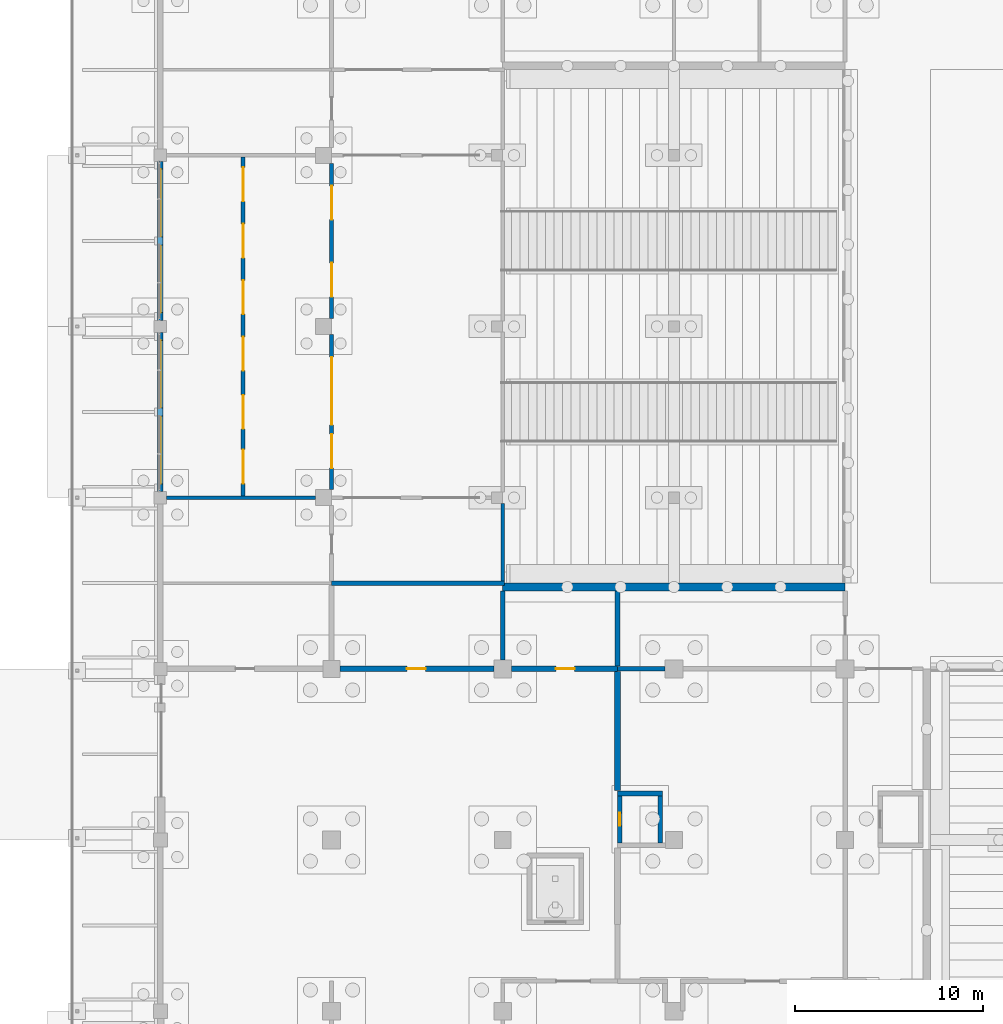
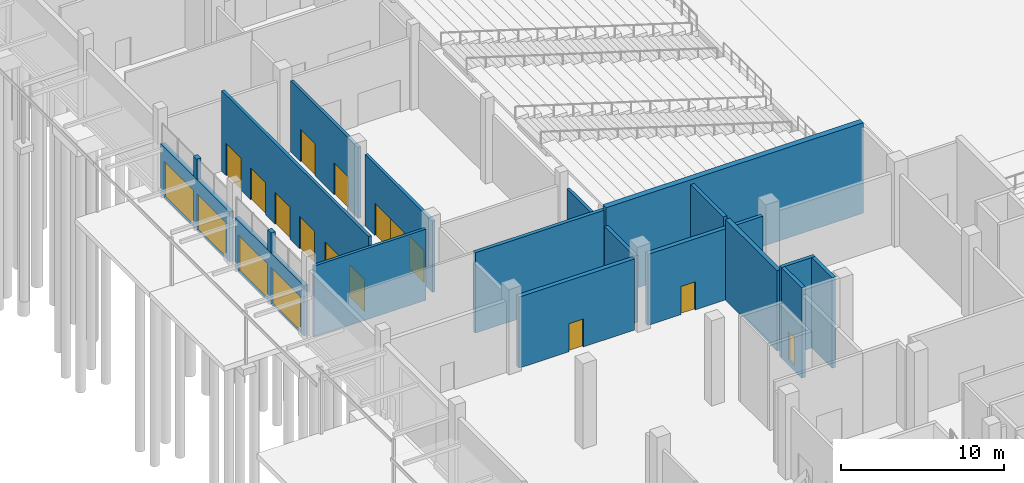
# One storey, part 70 of 129: 20 walls, 18 doors, 18 openings.
"""IFC4 building model written with IfcOpenShell, lengths in metres."""

from ifc_helpers import new_model, si_unit, direction, frame, frame_2d, origin, place, context, subcontext, project, spatial, rectangle, extrude, material, layer, layer_set, type_object, element, fill, save


model = new_model("IFC4")

# Units and contexts
model_context = context("Model", 3, precision=1e-05, world=origin(), true_north=direction((0.0, 1.0)))
body_context = subcontext(model_context, "Body", "Model", "MODEL_VIEW")
ifc_project = project(units=[si_unit("LENGTHUNIT", "METRE"), si_unit("AREAUNIT", "SQUARE_METRE"), si_unit("VOLUMEUNIT", "CUBIC_METRE"), si_unit("PLANEANGLEUNIT", "RADIAN"), si_unit("MASSUNIT", "GRAM", prefix="KILO")], contexts=[model_context])

# Site, building, storey
site_placement = place(None, origin())
site = spatial("IfcSite", under=ifc_project, at=site_placement, CompositionType="ELEMENT")
building_placement = place(site_placement, origin())
building = spatial("IfcBuilding", under=site, at=building_placement, Name="Shirokan Park Arena", CompositionType="ELEMENT")
storey_placement = place(building_placement, origin())
storey = spatial("IfcBuildingStorey", under=building, at=storey_placement, Name="L00", CompositionType="ELEMENT", Elevation=0.0)

# Wall, openings, doors
ifc_material_1 = material(Name="Board-formed concrete C40/50", Category="concrete")
ifc_layer_1 = layer(ifc_material_1, 0.1201171875, Name="Board-formed concrete C40/50")
ifc_material_2 = material(Name="Mineral wool insulation")
ifc_layer_2 = layer(ifc_material_2, 0.10009765625, Name="Mineral wool insulation")
ifc_material_3 = material(Name="Concrete C35", Category="concrete")
ifc_layer_3 = layer(ifc_material_3, 0.080078125, Name="Concrete C35")
ifc_layer_set_1 = layer_set([ifc_layer_1, ifc_layer_2, ifc_layer_3], Name="Board-formed concrete C40/50 + Mineral wool insulation + Concrete C35")
wall_type_1 = type_object("IfcWallType", Name="Board-formed concrete base wall 300", PredefinedType="SOLIDWALL", material=ifc_layer_set_1)
wall_1_placement = place(storey_placement, frame((0.0, 63.375, 0.0), z_axis=(0.0, 0.0, 1.0), x_axis=(0.0, -1.0, 0.0)))
wall_1 = element("IfcWall", 1, at=wall_1_placement, inside=storey, type_object=wall_type_1, Name="West facade wall bay 6 L00", PredefinedType="SOLIDWALL", context=body_context, shape_type="SweptSolid", body=[
    extrude(rectangle(XDim=8.449951171875, YDim=0.300048828125, at=frame_2d((4.22509765625, 0.0))), origin(), (0.0, 0.0, 1.0), 3.75),
])
opening_1_placement = place(wall_1_placement, frame((4.43994140625, 0.0, 0.0)))
opening_1 = element("IfcOpeningElement", 2, at=opening_1_placement, cuts=wall_1, Name="Opening E3-3", PredefinedType="OPENING", context=body_context, shape_type="SweptSolid", body=[
    extrude(rectangle(XDim=3.60009765625, YDim=2.699951171875, at=frame_2d((1.800048828125, 1.35009765625))), frame((0.0, 0.159912109375, 0.0), z_axis=(0.0, -1.0, 0.0), x_axis=(1.0, 0.0, 0.0)), (0.0, 0.0, 1.0), 0.320068359375),
])
opening_2_placement = place(wall_1_placement, frame((0.409912109375, 0.0, 0.0)))
opening_2 = element("IfcOpeningElement", 3, at=opening_2_placement, cuts=wall_1, Name="Opening E3-4", PredefinedType="OPENING", context=body_context, shape_type="SweptSolid", body=[
    extrude(rectangle(XDim=3.60009765625, YDim=2.699951171875, at=frame_2d((1.800048828125, 1.35009765625))), frame((0.0, 0.159912109375, 0.0), z_axis=(0.0, -1.0, 0.0), x_axis=(1.0, 0.0, 0.0)), (0.0, 0.0, 1.0), 0.320068359375),
])
ifc_material_4 = material(Name="Aluminium and glass door", Category="aluminium")
door_type_1 = type_object("IfcDoorType", Name="Entrance door pair 3600x2700", OperationType="DOUBLE_DOOR_SINGLE_SWING", PredefinedType="DOOR", material=ifc_material_4)
door_1_placement = place(opening_1_placement, frame((3.60009765625, 0.0, 0.0), z_axis=(0.0, 0.0, 1.0), x_axis=(-1.0, 0.0, 0.0)))
door_1 = element("IfcDoor", 4, at=door_1_placement, inside=storey, type_object=door_type_1, Name="Entrance E3 door 3", OperationType="DOUBLE_DOOR_SINGLE_SWING", OverallHeight=2.699951171875, OverallWidth=3.60009765625, PredefinedType="DOOR", context=body_context, shape_type="SweptSolid", body=[
    extrude(rectangle(XDim=3.60009765625, YDim=2.699951171875, at=frame_2d((1.800048828125, 1.35009765625))), frame((0.0, 0.02490234375, 0.0), z_axis=(0.0, -1.0, 0.0), x_axis=(1.0, 0.0, 0.0)), (0.0, 0.0, 1.0), 0.050048828125),
])
fill(opening_1, door_1)
door_2_placement = place(opening_2_placement, frame((3.60009765625, 0.0, 0.0), z_axis=(0.0, 0.0, 1.0), x_axis=(-1.0, 0.0, 0.0)))
door_2 = element("IfcDoor", 5, at=door_2_placement, inside=storey, type_object=door_type_1, Name="Entrance E3 door 4", OperationType="DOUBLE_DOOR_SINGLE_SWING", OverallHeight=2.699951171875, OverallWidth=3.60009765625, PredefinedType="DOOR", context=body_context, shape_type="SweptSolid", body=[
    extrude(rectangle(XDim=3.60009765625, YDim=2.699951171875, at=frame_2d((1.800048828125, 1.35009765625))), frame((0.0, 0.02490234375, 0.0), z_axis=(0.0, -1.0, 0.0), x_axis=(1.0, 0.0, 0.0)), (0.0, 0.0, 1.0), 0.050048828125),
])
fill(opening_2, door_2)

# Wall
wall_2_placement = place(storey_placement, frame((0.0, 59.364990234375, 3.75), z_axis=(0.0, 0.0, 1.0), x_axis=(0.0, -1.0, 0.0)))
element("IfcWall", 6, at=wall_2_placement, inside=storey, type_object=wall_type_1, Name="West facade pier over the doors bay 6 L00", PredefinedType="SOLIDWALL", context=body_context, shape_type="SweptSolid", body=[
    extrude(rectangle(XDim=0.429931640625, YDim=0.300048828125, at=frame_2d((0.21484375, 0.0))), origin(), (0.0, 0.0, 1.0), 1.52001953125),
])

# Wall, openings, doors
wall_3_placement = place(storey_placement, frame((0.0, 54.27490234375, 0.0), z_axis=(0.0, 0.0, 1.0), x_axis=(0.0, -1.0, 0.0)))
wall_3 = element("IfcWall", 7, at=wall_3_placement, inside=storey, type_object=wall_type_1, Name="West facade wall bay 7 L00", PredefinedType="SOLIDWALL", context=body_context, shape_type="SweptSolid", body=[
    extrude(rectangle(XDim=8.449951171875, YDim=0.300048828125, at=frame_2d((4.22509765625, 0.0))), origin(), (0.0, 0.0, 1.0), 3.75),
])
opening_3_placement = place(wall_3_placement, frame((4.43994140625, 0.0, 0.0)))
opening_3 = element("IfcOpeningElement", 8, at=opening_3_placement, cuts=wall_3, Name="Opening E3-1", PredefinedType="OPENING", context=body_context, shape_type="SweptSolid", body=[
    extrude(rectangle(XDim=3.60009765625, YDim=2.699951171875, at=frame_2d((1.800048828125, 1.35009765625))), frame((0.0, 0.159912109375, 0.0), z_axis=(0.0, -1.0, 0.0), x_axis=(1.0, 0.0, 0.0)), (0.0, 0.0, 1.0), 0.320068359375),
])
opening_4_placement = place(wall_3_placement, frame((0.409912109375, 0.0, 0.0)))
opening_4 = element("IfcOpeningElement", 9, at=opening_4_placement, cuts=wall_3, Name="Opening E3-2", PredefinedType="OPENING", context=body_context, shape_type="SweptSolid", body=[
    extrude(rectangle(XDim=3.60009765625, YDim=2.699951171875, at=frame_2d((1.800048828125, 1.35009765625))), frame((0.0, 0.159912109375, 0.0), z_axis=(0.0, -1.0, 0.0), x_axis=(1.0, 0.0, 0.0)), (0.0, 0.0, 1.0), 0.320068359375),
])
door_3_placement = place(opening_3_placement, frame((3.60009765625, 0.0, 0.0), z_axis=(0.0, 0.0, 1.0), x_axis=(-1.0, 0.0, 0.0)))
door_3 = element("IfcDoor", 10, at=door_3_placement, inside=storey, type_object=door_type_1, Name="Entrance E3 door 1", OperationType="DOUBLE_DOOR_SINGLE_SWING", OverallHeight=2.699951171875, OverallWidth=3.60009765625, PredefinedType="DOOR", context=body_context, shape_type="SweptSolid", body=[
    extrude(rectangle(XDim=3.60009765625, YDim=2.699951171875, at=frame_2d((1.800048828125, 1.35009765625))), frame((0.0, 0.02490234375, 0.0), z_axis=(0.0, -1.0, 0.0), x_axis=(1.0, 0.0, 0.0)), (0.0, 0.0, 1.0), 0.050048828125),
])
fill(opening_3, door_3)
door_4_placement = place(opening_4_placement, frame((3.60009765625, 0.0, 0.0), z_axis=(0.0, 0.0, 1.0), x_axis=(-1.0, 0.0, 0.0)))
door_4 = element("IfcDoor", 11, at=door_4_placement, inside=storey, type_object=door_type_1, Name="Entrance E3 door 2", OperationType="DOUBLE_DOOR_SINGLE_SWING", OverallHeight=2.699951171875, OverallWidth=3.60009765625, PredefinedType="DOOR", context=body_context, shape_type="SweptSolid", body=[
    extrude(rectangle(XDim=3.60009765625, YDim=2.699951171875, at=frame_2d((1.800048828125, 1.35009765625))), frame((0.0, 0.02490234375, 0.0), z_axis=(0.0, -1.0, 0.0), x_axis=(1.0, 0.0, 0.0)), (0.0, 0.0, 1.0), 0.050048828125),
])
fill(opening_4, door_4)

# Walls
wall_4_placement = place(storey_placement, frame((0.0, 50.264892578125, 3.75), z_axis=(0.0, 0.0, 1.0), x_axis=(0.0, -1.0, 0.0)))
element("IfcWall", 12, at=wall_4_placement, inside=storey, type_object=wall_type_1, Name="West facade pier over the doors bay 7 L00", PredefinedType="SOLIDWALL", context=body_context, shape_type="SweptSolid", body=[
    extrude(rectangle(XDim=0.429931640625, YDim=0.300048828125, at=frame_2d((0.21484375, 0.0))), origin(), (0.0, 0.0, 1.0), 1.52001953125),
])
ifc_material_5 = material(Name="Plaster")
ifc_layer_4 = layer(ifc_material_5, 0.014892578125, Name="Plaster")
ifc_material_6 = material(Name="Concrete blockwork", Category="masonry")
ifc_layer_5 = layer(ifc_material_6, 0.219970703125, Name="Concrete blockwork 220")
ifc_layer_6 = layer(ifc_material_5, 0.014892578125, Name="Plaster")
ifc_layer_set_2 = layer_set([ifc_layer_4, ifc_layer_5, ifc_layer_6], Name="Plaster + Concrete blockwork 220")
wall_type_2 = type_object("IfcWallType", Name="Compartment wall 250", PredefinedType="SOLIDWALL", material=ifc_layer_set_2)
wall_5_placement = place(storey_placement, frame((9.10009765625, 40.949951171875, 0.0), z_axis=(0.0, 0.0, 1.0), x_axis=(1.0, 0.0, 0.0)))
element("IfcWall", 13, at=wall_5_placement, inside=storey, type_object=wall_type_2, Name="Compartment wall 250 L00", PredefinedType="SOLIDWALL", context=body_context, shape_type="SweptSolid", body=[
    extrude(rectangle(XDim=9.199951171875, YDim=0.25, at=frame_2d((4.60009765625, 0.0))), origin(), (0.0, 0.0, 1.0), 6.02001953125),
])
wall_6_placement = place(storey_placement, frame((18.199951171875, 40.550048828125, 0.0), z_axis=(0.0, 0.0, 1.0), x_axis=(0.0, -1.0, 0.0)))
element("IfcWall", 14, at=wall_6_placement, inside=storey, type_object=wall_type_2, Name="Compartment wall 250 L00", PredefinedType="SOLIDWALL", context=body_context, shape_type="SweptSolid", body=[
    extrude(rectangle(XDim=3.675048828125, YDim=0.25, at=frame_2d((1.83740234375, 0.0))), origin(), (0.0, 0.0, 1.0), 5.02001953125),
])
wall_7_placement = place(storey_placement, frame((24.300048828125, 36.39990234375, 0.0), z_axis=(0.0, 0.0, 1.0), x_axis=(1.0, 0.0, 0.0)))
element("IfcWall", 15, at=wall_7_placement, inside=storey, type_object=wall_type_2, Name="Compartment wall 250 L00", PredefinedType="SOLIDWALL", context=body_context, shape_type="SweptSolid", body=[
    extrude(rectangle(XDim=2.52490234375, YDim=0.25, at=frame_2d((1.262451171875, 0.0))), origin(), (0.0, 0.0, 1.0), 5.320068359375),
])
wall_8_placement = place(storey_placement, frame((24.300048828125, 40.550048828125, 0.0), z_axis=(0.0, 0.0, 1.0), x_axis=(0.0, -1.0, 0.0)))
element("IfcWall", 16, at=wall_8_placement, inside=storey, type_object=wall_type_2, Name="Compartment wall 250 L00", PredefinedType="SOLIDWALL", context=body_context, shape_type="SweptSolid", body=[
    extrude(rectangle(XDim=4.0, YDim=0.25, at=frame_2d((2.0, 0.0))), origin(), (0.0, 0.0, 1.0), 6.02001953125),
])
ifc_material_7 = material(Name="Gypsum board")
ifc_layer_7 = layer(ifc_material_7, 0.02490234375, Name="Gypsum board, two layers")
ifc_layer_8 = layer(ifc_material_2, 0.14990234375, Name="Mineral wool insulation")
ifc_layer_9 = layer(ifc_material_7, 0.02490234375, Name="Gypsum board, two layers")
ifc_layer_set_3 = layer_set([ifc_layer_7, ifc_layer_8, ifc_layer_9], Name="Gypsum board, two layers + Mineral wool insulation")
wall_type_3 = type_object("IfcWallType", Name="Corridor wall 200", PredefinedType="PARTITIONING", material=ifc_layer_set_3)
wall_9_placement = place(storey_placement, frame((0.324951171875, 45.5, 0.0), z_axis=(0.0, 0.0, 1.0), x_axis=(1.0, 0.0, 0.0)))
element("IfcWall", 17, at=wall_9_placement, inside=storey, type_object=wall_type_3, Name="Corridor wall 200 L00", PredefinedType="PARTITIONING", context=body_context, shape_type="SweptSolid", body=[
    extrude(rectangle(XDim=7.925048828125, YDim=0.199951171875, at=frame_2d((3.96240234375, 0.0))), origin(), (0.0, 0.0, 1.0), 5.320068359375),
])

# Wall, openings, doors
wall_10_placement = place(storey_placement, frame((4.39990234375, 45.60009765625, 0.0), z_axis=(0.0, 0.0, 1.0), x_axis=(0.0, 1.0, 0.0)))
wall_10 = element("IfcWall", 18, at=wall_10_placement, inside=storey, type_object=wall_type_3, Name="Corridor wall 200 L00", PredefinedType="PARTITIONING", context=body_context, shape_type="SweptSolid", body=[
    extrude(rectangle(XDim=18.0, YDim=0.199951171875, at=frame_2d((9.0, 0.0))), origin(), (0.0, 0.0, 1.0), 6.02001953125),
])
opening_5_placement = place(wall_10_placement, frame((0.64990234375, 0.0, 0.0)))
opening_5 = element("IfcOpeningElement", 19, at=opening_5_placement, cuts=wall_10, Name="Opening D-0159", PredefinedType="OPENING", context=body_context, shape_type="SweptSolid", body=[
    extrude(rectangle(XDim=1.800048828125, YDim=2.39990234375, at=frame_2d((0.89990234375, 1.199951171875))), frame((0.0, 0.10986328125, 0.0), z_axis=(0.0, -1.0, 0.0), x_axis=(1.0, 0.0, 0.0)), (0.0, 0.0, 1.0), 0.219970703125),
])
opening_6_placement = place(wall_10_placement, frame((3.550048828125, 0.0, 0.0)))
opening_6 = element("IfcOpeningElement", 20, at=opening_6_placement, cuts=wall_10, Name="Opening D-0160", PredefinedType="OPENING", context=body_context, shape_type="SweptSolid", body=[
    extrude(rectangle(XDim=1.800048828125, YDim=2.39990234375, at=frame_2d((0.89990234375, 1.199951171875))), frame((0.0, 0.10986328125, 0.0), z_axis=(0.0, -1.0, 0.0), x_axis=(1.0, 0.0, 0.0)), (0.0, 0.0, 1.0), 0.219970703125),
])
opening_7_placement = place(wall_10_placement, frame((6.64990234375, 0.0, 0.0)))
opening_7 = element("IfcOpeningElement", 21, at=opening_7_placement, cuts=wall_10, Name="Opening D-0161", PredefinedType="OPENING", context=body_context, shape_type="SweptSolid", body=[
    extrude(rectangle(XDim=1.800048828125, YDim=2.39990234375, at=frame_2d((0.89990234375, 1.199951171875))), frame((0.0, 0.10986328125, 0.0), z_axis=(0.0, -1.0, 0.0), x_axis=(1.0, 0.0, 0.0)), (0.0, 0.0, 1.0), 0.219970703125),
])
opening_8_placement = place(wall_10_placement, frame((9.64990234375, 0.0, 0.0)))
opening_8 = element("IfcOpeningElement", 22, at=opening_8_placement, cuts=wall_10, Name="Opening D-0162", PredefinedType="OPENING", context=body_context, shape_type="SweptSolid", body=[
    extrude(rectangle(XDim=1.800048828125, YDim=2.39990234375, at=frame_2d((0.89990234375, 1.199951171875))), frame((0.0, 0.10986328125, 0.0), z_axis=(0.0, -1.0, 0.0), x_axis=(1.0, 0.0, 0.0)), (0.0, 0.0, 1.0), 0.219970703125),
])
opening_9_placement = place(wall_10_placement, frame((12.64990234375, 0.0, 0.0)))
opening_9 = element("IfcOpeningElement", 23, at=opening_9_placement, cuts=wall_10, Name="Opening D-0163", PredefinedType="OPENING", context=body_context, shape_type="SweptSolid", body=[
    extrude(rectangle(XDim=1.800048828125, YDim=2.39990234375, at=frame_2d((0.89990234375, 1.199951171875))), frame((0.0, 0.10986328125, 0.0), z_axis=(0.0, -1.0, 0.0), x_axis=(1.0, 0.0, 0.0)), (0.0, 0.0, 1.0), 0.219970703125),
])
opening_10_placement = place(wall_10_placement, frame((15.64990234375, 0.0, 0.0)))
opening_10 = element("IfcOpeningElement", 24, at=opening_10_placement, cuts=wall_10, Name="Opening D-0164", PredefinedType="OPENING", context=body_context, shape_type="SweptSolid", body=[
    extrude(rectangle(XDim=1.800048828125, YDim=2.39990234375, at=frame_2d((0.89990234375, 1.199951171875))), frame((0.0, 0.10986328125, 0.0), z_axis=(0.0, -1.0, 0.0), x_axis=(1.0, 0.0, 0.0)), (0.0, 0.0, 1.0), 0.219970703125),
])
ifc_material_8 = material(Name="Glazed steel door set, fire resisting", Category="steel")
door_type_2 = type_object("IfcDoorType", Name="Lift lobby door 1800 x 2400", OperationType="DOUBLE_DOOR_SINGLE_SWING", PredefinedType="DOOR", material=ifc_material_8)
door_5_placement = place(opening_5_placement, origin())
door_5 = element("IfcDoor", 25, at=door_5_placement, inside=storey, type_object=door_type_2, Name="Door between Entrance Foyer E3 and Security Screening Hall E3 D-0159", OperationType="DOUBLE_DOOR_SINGLE_SWING", OverallHeight=2.39990234375, OverallWidth=1.800048828125, PredefinedType="DOOR", context=body_context, shape_type="SweptSolid", body=[
    extrude(rectangle(XDim=1.800048828125, YDim=2.39990234375, at=frame_2d((0.89990234375, 1.199951171875))), frame((0.0, 0.02490234375, 0.0), z_axis=(0.0, -1.0, 0.0), x_axis=(1.0, 0.0, 0.0)), (0.0, 0.0, 1.0), 0.050048828125),
])
fill(opening_5, door_5)
door_6_placement = place(opening_6_placement, origin())
door_6 = element("IfcDoor", 26, at=door_6_placement, inside=storey, type_object=door_type_2, Name="Door between Entrance Foyer E3 and Security Screening Hall E3 D-0160", OperationType="DOUBLE_DOOR_SINGLE_SWING", OverallHeight=2.39990234375, OverallWidth=1.800048828125, PredefinedType="DOOR", context=body_context, shape_type="SweptSolid", body=[
    extrude(rectangle(XDim=1.800048828125, YDim=2.39990234375, at=frame_2d((0.89990234375, 1.199951171875))), frame((0.0, 0.02490234375, 0.0), z_axis=(0.0, -1.0, 0.0), x_axis=(1.0, 0.0, 0.0)), (0.0, 0.0, 1.0), 0.050048828125),
])
fill(opening_6, door_6)
door_7_placement = place(opening_7_placement, origin())
door_7 = element("IfcDoor", 27, at=door_7_placement, inside=storey, type_object=door_type_2, Name="Door between Entrance Foyer E3 and Security Screening Hall E3 D-0161", OperationType="DOUBLE_DOOR_SINGLE_SWING", OverallHeight=2.39990234375, OverallWidth=1.800048828125, PredefinedType="DOOR", context=body_context, shape_type="SweptSolid", body=[
    extrude(rectangle(XDim=1.800048828125, YDim=2.39990234375, at=frame_2d((0.89990234375, 1.199951171875))), frame((0.0, 0.02490234375, 0.0), z_axis=(0.0, -1.0, 0.0), x_axis=(1.0, 0.0, 0.0)), (0.0, 0.0, 1.0), 0.050048828125),
])
fill(opening_7, door_7)
door_8_placement = place(opening_8_placement, origin())
door_8 = element("IfcDoor", 28, at=door_8_placement, inside=storey, type_object=door_type_2, Name="Door between Entrance Foyer E3 and Security Screening Hall E3 D-0162", OperationType="DOUBLE_DOOR_SINGLE_SWING", OverallHeight=2.39990234375, OverallWidth=1.800048828125, PredefinedType="DOOR", context=body_context, shape_type="SweptSolid", body=[
    extrude(rectangle(XDim=1.800048828125, YDim=2.39990234375, at=frame_2d((0.89990234375, 1.199951171875))), frame((0.0, 0.02490234375, 0.0), z_axis=(0.0, -1.0, 0.0), x_axis=(1.0, 0.0, 0.0)), (0.0, 0.0, 1.0), 0.050048828125),
])
fill(opening_8, door_8)
door_9_placement = place(opening_9_placement, origin())
door_9 = element("IfcDoor", 29, at=door_9_placement, inside=storey, type_object=door_type_2, Name="Door between Entrance Foyer E3 and Security Screening Hall E3 D-0163", OperationType="DOUBLE_DOOR_SINGLE_SWING", OverallHeight=2.39990234375, OverallWidth=1.800048828125, PredefinedType="DOOR", context=body_context, shape_type="SweptSolid", body=[
    extrude(rectangle(XDim=1.800048828125, YDim=2.39990234375, at=frame_2d((0.89990234375, 1.199951171875))), frame((0.0, 0.02490234375, 0.0), z_axis=(0.0, -1.0, 0.0), x_axis=(1.0, 0.0, 0.0)), (0.0, 0.0, 1.0), 0.050048828125),
])
fill(opening_9, door_9)
door_10_placement = place(opening_10_placement, origin())
door_10 = element("IfcDoor", 30, at=door_10_placement, inside=storey, type_object=door_type_2, Name="Door between Entrance Foyer E3 and Security Screening Hall E3 D-0164", OperationType="DOUBLE_DOOR_SINGLE_SWING", OverallHeight=2.39990234375, OverallWidth=1.800048828125, PredefinedType="DOOR", context=body_context, shape_type="SweptSolid", body=[
    extrude(rectangle(XDim=1.800048828125, YDim=2.39990234375, at=frame_2d((0.89990234375, 1.199951171875))), frame((0.0, 0.02490234375, 0.0), z_axis=(0.0, -1.0, 0.0), x_axis=(1.0, 0.0, 0.0)), (0.0, 0.0, 1.0), 0.050048828125),
])
fill(opening_10, door_10)

wall_11_placement = place(storey_placement, frame((9.10009765625, 45.925048828125, 0.0), z_axis=(0.0, 0.0, 1.0), x_axis=(0.0, 1.0, 0.0)))
wall_11 = element("IfcWall", 31, at=wall_11_placement, inside=storey, type_object=wall_type_3, Name="Corridor wall 200 L00", PredefinedType="PARTITIONING", context=body_context, shape_type="SweptSolid", body=[
    extrude(rectangle(XDim=8.25, YDim=0.199951171875, at=frame_2d((4.125, 0.0))), origin(), (0.0, 0.0, 1.0), 5.320068359375),
])
opening_11_placement = place(wall_11_placement, frame((1.14990234375, 0.0, 0.0)))
opening_11 = element("IfcOpeningElement", 32, at=opening_11_placement, cuts=wall_11, Name="Opening D-0150", PredefinedType="OPENING", context=body_context, shape_type="SweptSolid", body=[
    extrude(rectangle(XDim=1.800048828125, YDim=2.39990234375, at=frame_2d((0.89990234375, 1.199951171875))), frame((0.0, 0.10986328125, 0.0), z_axis=(0.0, -1.0, 0.0), x_axis=(1.0, 0.0, 0.0)), (0.0, 0.0, 1.0), 0.219970703125),
])
opening_12_placement = place(wall_11_placement, frame((5.25, 0.0, 0.0)))
opening_12 = element("IfcOpeningElement", 33, at=opening_12_placement, cuts=wall_11, Name="Opening D-0151", PredefinedType="OPENING", context=body_context, shape_type="SweptSolid", body=[
    extrude(rectangle(XDim=1.800048828125, YDim=2.39990234375, at=frame_2d((0.89990234375, 1.199951171875))), frame((0.0, 0.10986328125, 0.0), z_axis=(0.0, -1.0, 0.0), x_axis=(1.0, 0.0, 0.0)), (0.0, 0.0, 1.0), 0.219970703125),
])
opening_13_placement = place(wall_11_placement, frame((3.449951171875, 0.0, 0.0)))
opening_13 = element("IfcOpeningElement", 34, at=opening_13_placement, cuts=wall_11, Name="Opening D-0152", PredefinedType="OPENING", context=body_context, shape_type="SweptSolid", body=[
    extrude(rectangle(XDim=1.800048828125, YDim=2.39990234375, at=frame_2d((0.89990234375, 1.199951171875))), frame((0.0, 0.10986328125, 0.0), z_axis=(0.0, -1.0, 0.0), x_axis=(1.0, 0.0, 0.0)), (0.0, 0.0, 1.0), 0.219970703125),
])
door_11_placement = place(opening_11_placement, origin())
door_11 = element("IfcDoor", 35, at=door_11_placement, inside=storey, type_object=door_type_2, Name="Door between Entrance Concourse E3 and Security Screening Hall E3 D-0150", OperationType="DOUBLE_DOOR_SINGLE_SWING", OverallHeight=2.39990234375, OverallWidth=1.800048828125, PredefinedType="DOOR", context=body_context, shape_type="SweptSolid", body=[
    extrude(rectangle(XDim=1.800048828125, YDim=2.39990234375, at=frame_2d((0.89990234375, 1.199951171875))), frame((0.0, 0.02490234375, 0.0), z_axis=(0.0, -1.0, 0.0), x_axis=(1.0, 0.0, 0.0)), (0.0, 0.0, 1.0), 0.050048828125),
])
fill(opening_11, door_11)
door_12_placement = place(opening_12_placement, origin())
door_12 = element("IfcDoor", 36, at=door_12_placement, inside=storey, type_object=door_type_2, Name="Door between Entrance Concourse E3 and Security Screening Hall E3 D-0151", OperationType="DOUBLE_DOOR_SINGLE_SWING", OverallHeight=2.39990234375, OverallWidth=1.800048828125, PredefinedType="DOOR", context=body_context, shape_type="SweptSolid", body=[
    extrude(rectangle(XDim=1.800048828125, YDim=2.39990234375, at=frame_2d((0.89990234375, 1.199951171875))), frame((0.0, 0.02490234375, 0.0), z_axis=(0.0, -1.0, 0.0), x_axis=(1.0, 0.0, 0.0)), (0.0, 0.0, 1.0), 0.050048828125),
])
fill(opening_12, door_12)
door_13_placement = place(opening_13_placement, origin())
door_13 = element("IfcDoor", 37, at=door_13_placement, inside=storey, type_object=door_type_2, Name="Door between Entrance Concourse E3 and Security Screening Hall E3 D-0152", OperationType="DOUBLE_DOOR_SINGLE_SWING", OverallHeight=2.39990234375, OverallWidth=1.800048828125, PredefinedType="DOOR", context=body_context, shape_type="SweptSolid", body=[
    extrude(rectangle(XDim=1.800048828125, YDim=2.39990234375, at=frame_2d((0.89990234375, 1.199951171875))), frame((0.0, 0.02490234375, 0.0), z_axis=(0.0, -1.0, 0.0), x_axis=(1.0, 0.0, 0.0)), (0.0, 0.0, 1.0), 0.050048828125),
])
fill(opening_13, door_13)

wall_12_placement = place(storey_placement, frame((9.10009765625, 55.02490234375, 0.0), z_axis=(0.0, 0.0, 1.0), x_axis=(0.0, 1.0, 0.0)))
wall_12 = element("IfcWall", 38, at=wall_12_placement, inside=storey, type_object=wall_type_3, Name="Corridor wall 200 L00", PredefinedType="PARTITIONING", context=body_context, shape_type="SweptSolid", body=[
    extrude(rectangle(XDim=8.25, YDim=0.199951171875, at=frame_2d((4.125, 0.0))), origin(), (0.0, 0.0, 1.0), 5.320068359375),
])
opening_14_placement = place(wall_12_placement, frame((1.14990234375, 0.0, 0.0)))
opening_14 = element("IfcOpeningElement", 39, at=opening_14_placement, cuts=wall_12, Name="Opening D-0153", PredefinedType="OPENING", context=body_context, shape_type="SweptSolid", body=[
    extrude(rectangle(XDim=1.800048828125, YDim=2.39990234375, at=frame_2d((0.89990234375, 1.199951171875))), frame((0.0, 0.10986328125, 0.0), z_axis=(0.0, -1.0, 0.0), x_axis=(1.0, 0.0, 0.0)), (0.0, 0.0, 1.0), 0.219970703125),
])
opening_15_placement = place(wall_12_placement, frame((5.25, 0.0, 0.0)))
opening_15 = element("IfcOpeningElement", 40, at=opening_15_placement, cuts=wall_12, Name="Opening D-0154", PredefinedType="OPENING", context=body_context, shape_type="SweptSolid", body=[
    extrude(rectangle(XDim=1.800048828125, YDim=2.39990234375, at=frame_2d((0.89990234375, 1.199951171875))), frame((0.0, 0.10986328125, 0.0), z_axis=(0.0, -1.0, 0.0), x_axis=(1.0, 0.0, 0.0)), (0.0, 0.0, 1.0), 0.219970703125),
])
door_14_placement = place(opening_14_placement, origin())
door_14 = element("IfcDoor", 41, at=door_14_placement, inside=storey, type_object=door_type_2, Name="Door between Entrance Concourse E3 and Security Screening Hall E3 D-0153", OperationType="DOUBLE_DOOR_SINGLE_SWING", OverallHeight=2.39990234375, OverallWidth=1.800048828125, PredefinedType="DOOR", context=body_context, shape_type="SweptSolid", body=[
    extrude(rectangle(XDim=1.800048828125, YDim=2.39990234375, at=frame_2d((0.89990234375, 1.199951171875))), frame((0.0, 0.02490234375, 0.0), z_axis=(0.0, -1.0, 0.0), x_axis=(1.0, 0.0, 0.0)), (0.0, 0.0, 1.0), 0.050048828125),
])
fill(opening_14, door_14)
door_15_placement = place(opening_15_placement, origin())
door_15 = element("IfcDoor", 42, at=door_15_placement, inside=storey, type_object=door_type_2, Name="Door between Entrance Concourse E3 and Security Screening Hall E3 D-0154", OperationType="DOUBLE_DOOR_SINGLE_SWING", OverallHeight=2.39990234375, OverallWidth=1.800048828125, PredefinedType="DOOR", context=body_context, shape_type="SweptSolid", body=[
    extrude(rectangle(XDim=1.800048828125, YDim=2.39990234375, at=frame_2d((0.89990234375, 1.199951171875))), frame((0.0, 0.02490234375, 0.0), z_axis=(0.0, -1.0, 0.0), x_axis=(1.0, 0.0, 0.0)), (0.0, 0.0, 1.0), 0.050048828125),
])
fill(opening_15, door_15)

# Wall
wall_13_placement = place(storey_placement, frame((18.199951171875, 45.199951171875, 0.0), z_axis=(0.0, 0.0, 1.0), x_axis=(0.0, -1.0, 0.0)))
element("IfcWall", 43, at=wall_13_placement, inside=storey, type_object=wall_type_3, Name="Corridor wall 200 L00", PredefinedType="PARTITIONING", context=body_context, shape_type="SweptSolid", body=[
    extrude(rectangle(XDim=4.125, YDim=0.199951171875, at=frame_2d((2.0625, 0.0))), origin(), (0.0, 0.0, 1.0), 5.02001953125),
])

# Wall, opening, door
ifc_material_9 = material(Name="Concrete C30 precast panel", Category="concrete")
ifc_layer_10 = layer(ifc_material_9, 0.300048828125, Name="Concrete C30 precast panel")
ifc_layer_set_4 = layer_set([ifc_layer_10], Name="Concrete C30 precast panel")
wall_type_4 = type_object("IfcWallType", Name="Dock wall 300", PredefinedType="SOLIDWALL", material=ifc_layer_set_4)
wall_14_placement = place(storey_placement, frame((9.550048828125, 36.39990234375, 0.0), z_axis=(0.0, 0.0, 1.0), x_axis=(1.0, 0.0, 0.0)))
wall_14 = element("IfcWall", 44, at=wall_14_placement, inside=storey, type_object=wall_type_4, Name="Dock wall 300 L00", PredefinedType="SOLIDWALL", context=body_context, shape_type="SweptSolid", body=[
    extrude(rectangle(XDim=8.175048828125, YDim=0.300048828125, at=frame_2d((4.08740234375, 0.0))), origin(), (0.0, 0.0, 1.0), 5.320068359375),
])
opening_16_placement = place(wall_14_placement, frame((3.550048828125, 0.0, 0.0)))
opening_16 = element("IfcOpeningElement", 45, at=opening_16_placement, cuts=wall_14, Name="Opening D-0006", PredefinedType="OPENING", context=body_context, shape_type="SweptSolid", body=[
    extrude(rectangle(XDim=1.0, YDim=2.10009765625, at=frame_2d((0.5, 1.050048828125))), frame((0.0, 0.159912109375, 0.0), z_axis=(0.0, -1.0, 0.0), x_axis=(1.0, 0.0, 0.0)), (0.0, 0.0, 1.0), 0.320068359375),
])
ifc_material_10 = material(Name="Timber door set, fire resisting", Category="wood")
door_type_3 = type_object("IfcDoorType", Name="Door 1000 x 2100", OperationType="SINGLE_SWING_LEFT", PredefinedType="DOOR", material=ifc_material_10)
door_16_placement = place(opening_16_placement, origin())
door_16 = element("IfcDoor", 46, at=door_16_placement, inside=storey, type_object=door_type_3, Name="Door to Refuse Room D-0006", OperationType="SINGLE_SWING_RIGHT", OverallHeight=2.10009765625, OverallWidth=1.0, PredefinedType="DOOR", context=body_context, shape_type="SweptSolid", body=[
    extrude(rectangle(XDim=1.0, YDim=2.10009765625, at=frame_2d((0.5, 1.050048828125))), frame((0.0, 0.02490234375, 0.0), z_axis=(0.0, -1.0, 0.0), x_axis=(1.0, 0.0, 0.0)), (0.0, 0.0, 1.0), 0.050048828125),
])
fill(opening_16, door_16)

wall_15_placement = place(storey_placement, frame((18.675048828125, 36.39990234375, 0.0), z_axis=(0.0, 0.0, 1.0), x_axis=(1.0, 0.0, 0.0)))
wall_15 = element("IfcWall", 47, at=wall_15_placement, inside=storey, type_object=wall_type_4, Name="Dock wall 300 L00", PredefinedType="SOLIDWALL", context=body_context, shape_type="SweptSolid", body=[
    extrude(rectangle(XDim=5.625, YDim=0.300048828125, at=frame_2d((2.8125, 0.0))), origin(), (0.0, 0.0, 1.0), 5.320068359375),
])
opening_17_placement = place(wall_15_placement, frame((2.35009765625, 0.0, 0.0)))
opening_17 = element("IfcOpeningElement", 48, at=opening_17_placement, cuts=wall_15, Name="Opening D-0002", PredefinedType="OPENING", context=body_context, shape_type="SweptSolid", body=[
    extrude(rectangle(XDim=1.0, YDim=2.10009765625, at=frame_2d((0.5, 1.050048828125))), frame((0.0, 0.159912109375, 0.0), z_axis=(0.0, -1.0, 0.0), x_axis=(1.0, 0.0, 0.0)), (0.0, 0.0, 1.0), 0.320068359375),
])
door_17_placement = place(opening_17_placement, origin())
door_17 = element("IfcDoor", 49, at=door_17_placement, inside=storey, type_object=door_type_3, Name="Door to Equipment Store D-0002", OperationType="SINGLE_SWING_LEFT", OverallHeight=2.10009765625, OverallWidth=1.0, PredefinedType="DOOR", context=body_context, shape_type="SweptSolid", body=[
    extrude(rectangle(XDim=1.0, YDim=2.10009765625, at=frame_2d((0.5, 1.050048828125))), frame((0.0, 0.02490234375, 0.0), z_axis=(0.0, -1.0, 0.0), x_axis=(1.0, 0.0, 0.0)), (0.0, 0.0, 1.0), 0.050048828125),
])
fill(opening_17, door_17)

# Walls
wall_16_placement = place(storey_placement, frame((24.300048828125, 36.25, 0.0), z_axis=(0.0, 0.0, 1.0), x_axis=(0.0, -1.0, 0.0)))
element("IfcWall", 50, at=wall_16_placement, inside=storey, type_object=wall_type_4, Name="Dock wall 300 L00", PredefinedType="SOLIDWALL", context=body_context, shape_type="SweptSolid", body=[
    extrude(rectangle(XDim=6.320068359375, YDim=0.300048828125, at=frame_2d((3.16015625, 0.0))), origin(), (0.0, 0.0, 1.0), 6.02001953125),
])
ifc_layer_11 = layer(ifc_material_3, 0.39990234375)
ifc_layer_set_5 = layer_set([ifc_layer_11], Name="Concrete C35 400 mm")
wall_type_5 = type_object("IfcWallType", Name="RC flank wall 400", PredefinedType="SHEAR", material=ifc_layer_set_5)
wall_17_placement = place(storey_placement, frame((36.39990234375, 40.75, -0.39990234375), z_axis=(0.0, 0.0, 1.0), x_axis=(-1.0, 0.0, 0.0)))
element("IfcWall", 51, at=wall_17_placement, inside=storey, type_object=wall_type_5, Name="Flank wall W1 L00", PredefinedType="SHEAR", context=body_context, shape_type="SweptSolid", body=[
    extrude(rectangle(XDim=18.199951171875, YDim=0.39990234375, at=frame_2d((9.10009765625, 0.0))), origin(), (0.0, 0.0, 1.0), 6.77001953125),
])
ifc_material_11 = material(Name="Concrete C40/50", Category="concrete")
ifc_layer_12 = layer(ifc_material_11, 0.25)
ifc_layer_set_6 = layer_set([ifc_layer_12], Name="Concrete C40/50 250 mm")
wall_type_6 = type_object("IfcWallType", Name="RC shear wall 250", PredefinedType="SHEAR", material=ifc_layer_set_6)
wall_18_placement = place(storey_placement, frame((26.699951171875, 29.77490234375, -0.39990234375), z_axis=(0.0, 0.0, 1.0), x_axis=(-1.0, 0.0, 0.0)))
element("IfcWall", 52, at=wall_18_placement, inside=storey, type_object=wall_type_6, Name="Shaft wall Services Riser 1.2 N L00", PredefinedType="SHEAR", context=body_context, shape_type="SweptSolid", body=[
    extrude(rectangle(XDim=2.39990234375, YDim=0.25, at=frame_2d((1.199951171875, 0.0))), origin(), (0.0, 0.0, 1.0), 6.77001953125),
])

# Wall, opening, door
wall_19_placement = place(storey_placement, frame((24.425048828125, 29.64990234375, -0.39990234375), z_axis=(0.0, 0.0, 1.0), x_axis=(0.0, -1.0, 0.0)))
wall_19 = element("IfcWall", 53, at=wall_19_placement, inside=storey, type_object=wall_type_6, Name="Shaft wall Services Riser 1.2 W L00", PredefinedType="SHEAR", context=body_context, shape_type="SweptSolid", body=[
    extrude(rectangle(XDim=2.5, YDim=0.25, at=frame_2d((1.25, 0.0))), origin(), (0.0, 0.0, 1.0), 6.77001953125),
])
opening_18_placement = place(wall_19_placement, frame((0.89990234375, 0.0, 0.39990234375)))
opening_18 = element("IfcOpeningElement", 54, at=opening_18_placement, cuts=wall_19, Name="Opening D-0166", PredefinedType="OPENING", context=body_context, shape_type="SweptSolid", body=[
    extrude(rectangle(XDim=0.699951171875, YDim=2.10009765625, at=frame_2d((0.35009765625, 1.050048828125))), frame((0.0, 0.135009765625, 0.0), z_axis=(0.0, -1.0, 0.0), x_axis=(1.0, 0.0, 0.0)), (0.0, 0.0, 1.0), 0.27001953125),
])
ifc_material_12 = material(Name="Steel door set, fire resisting", Category="steel")
door_type_4 = type_object("IfcDoorType", Name="Mechanical riser door 700 x 2100", OperationType="SINGLE_SWING_LEFT", PredefinedType="DOOR", material=ifc_material_12)
door_18_placement = place(opening_18_placement, origin())
door_18 = element("IfcDoor", 55, at=door_18_placement, inside=storey, type_object=door_type_4, Name="Riser access door Services Riser 1.2 D-0166", OperationType="SINGLE_SWING_LEFT", OverallHeight=2.10009765625, OverallWidth=0.699951171875, PredefinedType="DOOR", context=body_context, shape_type="SweptSolid", body=[
    extrude(rectangle(XDim=0.699951171875, YDim=2.10009765625, at=frame_2d((0.35009765625, 1.050048828125))), frame((0.0, 0.02490234375, 0.0), z_axis=(0.0, -1.0, 0.0), x_axis=(1.0, 0.0, 0.0)), (0.0, 0.0, 1.0), 0.050048828125),
])
fill(opening_18, door_18)

# Wall
wall_20_placement = place(storey_placement, frame((26.574951171875, 29.64990234375, -0.39990234375), z_axis=(0.0, 0.0, 1.0), x_axis=(0.0, -1.0, 0.0)))
element("IfcWall", 56, at=wall_20_placement, inside=storey, type_object=wall_type_6, Name="Shaft wall Services Riser 1.2 E L00", PredefinedType="SHEAR", context=body_context, shape_type="SweptSolid", body=[
    extrude(rectangle(XDim=2.5, YDim=0.25, at=frame_2d((1.25, 0.0))), origin(), (0.0, 0.0, 1.0), 6.77001953125),
])

save(model, "model.ifc")
